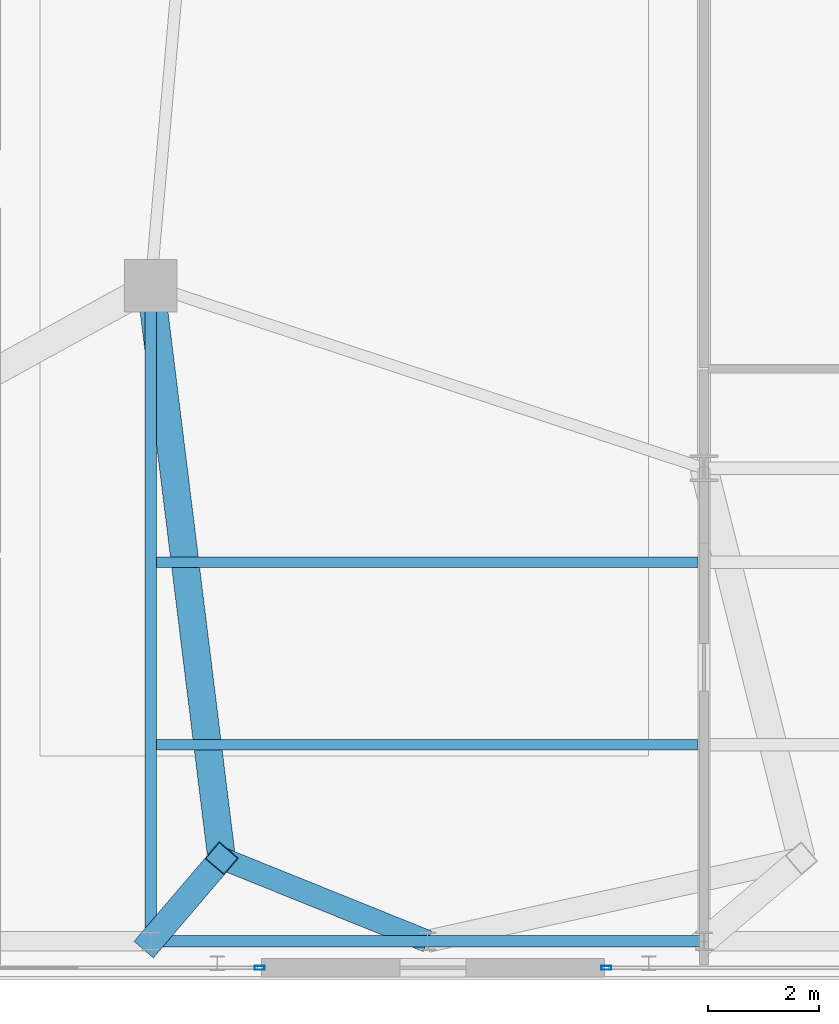
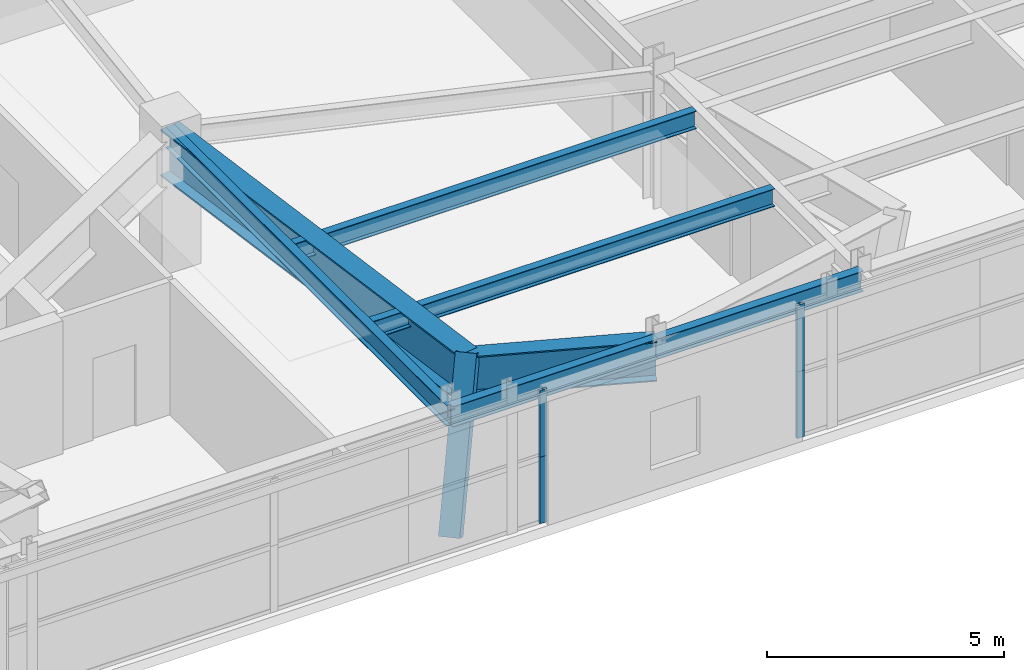
# One storey, part 9 of 27: 7 beams, 5 members, 4 elements without a shape of their own.
"""IFC4 building model written with IfcOpenShell, lengths in metres."""

from ifc_helpers import new_model, si_unit, direction, frame, origin, origin_2d, place, context, subcontext, project, spatial, hollow_rectangle, i_section, extrude, source, transform, mapped, material, layer, layer_set, material_profile, profile_set, type_object, element, aggregate, save


model = new_model("IFC4")

# Units and contexts
model_context = context("Model", 3, precision=1e-05, world=origin(), true_north=direction((0.0, 1.0)))
body_context = subcontext(model_context, "Body", "Model", "MODEL_VIEW")
ifc_project = project(units=[si_unit("LENGTHUNIT", "METRE"), si_unit("AREAUNIT", "SQUARE_METRE"), si_unit("VOLUMEUNIT", "CUBIC_METRE"), si_unit("PLANEANGLEUNIT", "RADIAN"), si_unit("MASSUNIT", "GRAM", prefix="KILO")], contexts=[model_context])

# Site, building, storey
site_placement = place(None, origin())
site = spatial("IfcSite", under=ifc_project, at=site_placement, CompositionType="ELEMENT")
building_placement = place(site_placement, origin())
building = spatial("IfcBuilding", under=site, at=building_placement, Name="Taldren Reach Tower", CompositionType="ELEMENT")
storey_placement = place(building_placement, frame((0.0, 0.0, 12.949951171875)))
storey = spatial("IfcBuildingStorey", under=building, at=storey_placement, Name="L03", CompositionType="ELEMENT", Elevation=12.949951171875)

# Beams
ifc_material_1 = material(Name="Steel Gr 350 (350PLUS)", Category="steel")
ifc_material_profile_1 = material_profile(ifc_material_1, i_section(OverallWidth=0.208984375, OverallDepth=0.528076171875, WebThickness=0.009521484375, FlangeThickness=0.01318359375, at=origin_2d()), Name="530UB82.0")
ifc_profile_set_1 = profile_set([ifc_material_profile_1], Name="Steel Gr 350 (350PLUS)")
beam_type_1 = type_object("IfcBeamType", Name="SP-UB530B", PredefinedType="SPANDREL", material=ifc_profile_set_1)
shared_shape_1 = source(origin(), body_context, "Body", "SweptSolid", [
    extrude(i_section(OverallWidth=0.208984375, OverallDepth=0.528076171875, WebThickness=0.009521484375, FlangeThickness=0.01318359375, at=origin_2d()), origin(), (0.0, 0.0, 1.0), 5.0),
])
for number, where, z_axis, x_axis, name in (
    (1, (18.0, 0.64990234375, 3.166015625), (1.0, 0.0, 0.0), (0.0, 1.0, 0.0), "Podium beam L03-PD02"),
    (2, (23.0, 0.64990234375, 3.166015625), (1.0, 0.0, 0.0), (0.0, 1.0, 0.0), "Podium beam L03-PD03"),
):
    element("IfcBeam", number, at=place(storey_placement, frame(where, z_axis=z_axis, x_axis=x_axis)), inside=storey, type_object=beam_type_1, Name=name, PredefinedType="SPANDREL", context=body_context, shape_type="MappedRepresentation", body=[
        mapped(shared_shape_1, transform((0.0, 0.0, 0.0), scale=1.0)),
    ])
ifc_material_profile_2 = material_profile(ifc_material_1, i_section(OverallWidth=0.208984375, OverallDepth=0.532958984375, WebThickness=0.01025390625, FlangeThickness=0.015625, at=origin_2d()), Name="530UB92.4")
ifc_profile_set_2 = profile_set([ifc_material_profile_2], Name="Steel Gr 350 (350PLUS)")
beam_type_2 = type_object("IfcBeamType", Name="BM-UB530A", PredefinedType="BEAM", material=ifc_profile_set_2)
shared_shape_2 = source(origin(), body_context, "Body", "SweptSolid", [
    extrude(i_section(OverallWidth=0.208984375, OverallDepth=0.532958984375, WebThickness=0.01025390625, FlangeThickness=0.015625, at=origin_2d()), origin(), (0.0, 0.0, 1.0), 11.85009765625),
])
beam_1_placement = place(storey_placement, frame((18.0, 0.64990234375, 3.16357421875), z_axis=(0.0, 1.0, 0.0), x_axis=(-1.0, 0.0, 0.0)))
element("IfcBeam", 3, at=beam_1_placement, inside=storey, type_object=beam_type_2, Name="Podium beam L03-PD22", PredefinedType="BEAM", context=body_context, shape_type="MappedRepresentation", body=[
    mapped(shared_shape_2, transform((0.0, 0.0, 0.0), scale=1.0)),
])
ifc_material_profile_3 = material_profile(ifc_material_1, i_section(OverallWidth=0.19091796875, OverallDepth=0.4599609375, WebThickness=0.010009765625, FlangeThickness=0.01611328125, at=origin_2d()), Name="460UB82.1")
ifc_profile_set_3 = profile_set([ifc_material_profile_3], Name="Steel Gr 350 (350PLUS)")
beam_type_3 = type_object("IfcBeamType", Name="BM-UB460A", PredefinedType="BEAM", material=ifc_profile_set_3)
shared_shape_3 = source(origin(), body_context, "Body", "SweptSolid", [
    extrude(i_section(OverallWidth=0.19091796875, OverallDepth=0.4599609375, WebThickness=0.010009765625, FlangeThickness=0.01611328125, at=origin_2d()), origin(), (0.0, 0.0, 1.0), 9.791015625),
])
for number, where, z_axis, x_axis, name in (
    (4, (18.1044921875, 4.199951171875, 3.199951171875), (1.0, 0.0, 0.0), (0.0, 1.0, 0.0), "Podium composite floor beam L03-1.1"),
    (5, (18.1044921875, 7.5, 3.199951171875), (1.0, 0.0, 0.0), (0.0, 1.0, 0.0), "Podium composite floor beam L03-2.1"),
):
    element("IfcBeam", number, at=place(storey_placement, frame(where, z_axis=z_axis, x_axis=x_axis)), inside=storey, type_object=beam_type_3, Name=name, PredefinedType="BEAM", context=body_context, shape_type="MappedRepresentation", body=[
        mapped(shared_shape_3, transform((0.0, 0.0, 0.0), scale=1.0)),
    ])

# Member
ifc_material_2 = material(Name="Steel Gr 450 (C450L0)", Category="steel")
ifc_material_profile_4 = material_profile(ifc_material_2, hollow_rectangle(XDim=0.4599609375, YDim=0.4599609375, WallThickness=0.01611328125, at=origin_2d()), Name="460x460x16.0SHS")
ifc_profile_set_4 = profile_set([ifc_material_profile_4], Name="Steel Gr 450 (C450L0)")
member_type_1 = type_object("IfcMemberType", Name="MB-EXO457", PredefinedType="BRACE", material=ifc_profile_set_4)
shared_shape_4 = source(origin(), body_context, "Body", "SweptSolid", [
    extrude(hollow_rectangle(XDim=0.4599609375, YDim=0.4599609375, WallThickness=0.01611328125, at=origin_2d()), origin(), (0.0, 0.0, 1.0), 3.93896484375),
])
member_1_placement = place(storey_placement, frame((18.0, 0.64990234375, 0.02001953125), z_axis=(0.324960344028, 0.380804187241, 0.865672539583), x_axis=(-0.760679309255, 0.649127867582, 0.0)))
element("IfcMember", 6, at=member_1_placement, inside=storey, type_object=member_type_1, Name="Portal and block transfer strut TS-B1-S2 L03", PredefinedType="BRACE", context=body_context, shape_type="MappedRepresentation", body=[
    mapped(shared_shape_4, transform((0.0, 0.0, 0.0), scale=1.0)),
])

# Beams
ifc_material_profile_5 = material_profile(ifc_material_1, i_section(OverallWidth=0.5, OverallDepth=1.199951171875, WebThickness=0.01611328125, FlangeThickness=0.0400390625, at=origin_2d()), Name="1200WB455")
ifc_profile_set_5 = profile_set([ifc_material_profile_5], Name="Steel Gr 350 (350PLUS)")
beam_type_4 = type_object("IfcBeamType", Name="BM-WB1200", PredefinedType="BEAM", material=ifc_profile_set_5)
shared_shape_5 = source(origin(), body_context, "Body", "SweptSolid", [
    extrude(i_section(OverallWidth=0.5, OverallDepth=1.199951171875, WebThickness=0.01611328125, FlangeThickness=0.0400390625, at=origin_2d()), origin(), (0.0, 0.0, 1.0), 10.428955078125),
])
beam_2_placement = place(storey_placement, frame((18.0, 12.5, 2.830078125), z_axis=(0.122738080664, -0.992439098159, 0.0), x_axis=(0.992439098159, 0.122738080664, 0.0)))
element("IfcBeam", 7, at=beam_2_placement, inside=storey, type_object=beam_type_4, Name="Block transfer girder TG-B1-S2A on L03", PredefinedType="BEAM", context=body_context, shape_type="MappedRepresentation", body=[
    mapped(shared_shape_5, transform((0.0, 0.0, 0.0), scale=1.0)),
])
ifc_material_profile_6 = material_profile(ifc_material_1, i_section(OverallWidth=0.39990234375, OverallDepth=1.02392578125, WebThickness=0.01611328125, FlangeThickness=0.031982421875, at=origin_2d()), Name="1000WB322")
ifc_profile_set_6 = profile_set([ifc_material_profile_6], Name="Steel Gr 350 (350PLUS)")
beam_type_5 = type_object("IfcBeamType", Name="BM-WB1000", PredefinedType="BEAM", material=ifc_profile_set_6)
shared_shape_6 = source(origin(), body_context, "Body", "SweptSolid", [
    extrude(i_section(OverallWidth=0.39990234375, OverallDepth=1.02392578125, WebThickness=0.01611328125, FlangeThickness=0.031982421875, at=origin_2d()), origin(), (0.0, 0.0, 1.0), 4.010986328125),
])
beam_3_placement = place(storey_placement, frame((23.0, 0.64990234375, 2.91796875), z_axis=(-0.927440450531, 0.37397086881, 0.0), x_axis=(-0.37397086881, -0.927440450531, 0.0)))
element("IfcBeam", 8, at=beam_3_placement, inside=storey, type_object=beam_type_5, Name="Block transfer tie girder TG-B1-S2B on L03", PredefinedType="BEAM", context=body_context, shape_type="MappedRepresentation", body=[
    mapped(shared_shape_6, transform((0.0, 0.0, 0.0), scale=1.0)),
])

# Curtain wall, member
ifc_material_3 = material(Name="Aluminium and Low-E Glass Unitised System", Category="aluminium")
ifc_layer = layer(ifc_material_3, 0.159912109375)
ifc_layer_set = layer_set([ifc_layer], Name="Aluminium and Low-E Glass Unitised System")
curtain_wall_type = type_object("IfcCurtainWallType", Name="CW-SYS-1", PredefinedType="NOTDEFINED", material=ifc_layer_set)
curtain_wall_1_placement = place(storey_placement, origin())
curtain_wall_1 = element("IfcCurtainWall", 9, at=curtain_wall_1_placement, inside=storey, type_object=curtain_wall_type, Name="Unitised curtain wall CW1-L03-S1", PredefinedType="NOTDEFINED")
ifc_material_4 = material(Name="Anodised Aluminium 6063-T6", Category="aluminium")
ifc_material_profile_7 = material_profile(ifc_material_4, hollow_rectangle(XDim=0.070068359375, YDim=0.179931640625, WallThickness=0.00390625, at=origin_2d()), Name="ALU-180x70x4RHS")
ifc_profile_set_7 = profile_set([ifc_material_profile_7], Name="Anodised Aluminium 6063-T6")
member_type_2 = type_object("IfcMemberType", Name="CW-MUL-180", PredefinedType="MULLION", material=ifc_profile_set_7)
shared_shape_7 = source(origin(), body_context, "Body", "SweptSolid", [
    extrude(hollow_rectangle(XDim=0.070068359375, YDim=0.179931640625, WallThickness=0.00390625, at=origin_2d()), origin(), (0.0, 0.0, 1.0), 1.715087890625),
])
member_2_placement = place(storey_placement, frame((19.965087890625, 0.169921875, 0.0), z_axis=(0.0, 0.0, 1.0), x_axis=(0.0, 1.0, 0.0)))
member_2 = element("IfcMember", 10, at=member_2_placement, type_object=member_type_2, Name="CW-1 mullion 3", PredefinedType="MULLION", context=body_context, shape_type="MappedRepresentation", body=[
    mapped(shared_shape_7, transform((0.0, 0.0, 0.0), scale=1.0)),
])
aggregate(curtain_wall_1, [member_2])

curtain_wall_2_placement = place(storey_placement, origin())
curtain_wall_2 = element("IfcCurtainWall", 11, at=curtain_wall_2_placement, inside=storey, type_object=curtain_wall_type, Name="Unitised curtain wall CW1-L03-S2", PredefinedType="NOTDEFINED")
member_3_placement = place(storey_placement, frame((26.235107421875, 0.169921875, 0.0), z_axis=(0.0, 0.0, 1.0), x_axis=(0.0, 1.0, 0.0)))
member_3 = element("IfcMember", 12, at=member_3_placement, type_object=member_type_2, Name="CW-1 mullion 1", PredefinedType="MULLION", context=body_context, shape_type="MappedRepresentation", body=[
    mapped(shared_shape_7, transform((0.0, 0.0, 0.0), scale=1.0)),
])
aggregate(curtain_wall_2, [member_3])

curtain_wall_3_placement = place(storey_placement, origin())
curtain_wall_3 = element("IfcCurtainWall", 13, at=curtain_wall_3_placement, inside=storey, type_object=curtain_wall_type, Name="Unitised curtain wall CW1-L03-S1-T2", PredefinedType="NOTDEFINED")
shared_shape_8 = source(origin(), body_context, "Body", "SweptSolid", [
    extrude(hollow_rectangle(XDim=0.070068359375, YDim=0.179931640625, WallThickness=0.00390625, at=origin_2d()), origin(), (0.0, 0.0, 1.0), 1.71484375),
])
member_4_placement = place(storey_placement, frame((19.965087890625, 0.169921875, 1.715087890625), z_axis=(0.0, 0.0, 1.0), x_axis=(0.0, 1.0, 0.0)))
member_4 = element("IfcMember", 14, at=member_4_placement, type_object=member_type_2, Name="CW-1 mullion 3", PredefinedType="MULLION", context=body_context, shape_type="MappedRepresentation", body=[
    mapped(shared_shape_8, transform((0.0, 0.0, 0.0), scale=1.0)),
])
aggregate(curtain_wall_3, [member_4])

curtain_wall_4_placement = place(storey_placement, origin())
curtain_wall_4 = element("IfcCurtainWall", 15, at=curtain_wall_4_placement, inside=storey, type_object=curtain_wall_type, Name="Unitised curtain wall CW1-L03-S2-T2", PredefinedType="NOTDEFINED")
member_5_placement = place(storey_placement, frame((26.235107421875, 0.169921875, 1.715087890625), z_axis=(0.0, 0.0, 1.0), x_axis=(0.0, 1.0, 0.0)))
member_5 = element("IfcMember", 16, at=member_5_placement, type_object=member_type_2, Name="CW-1 mullion 1", PredefinedType="MULLION", context=body_context, shape_type="MappedRepresentation", body=[
    mapped(shared_shape_8, transform((0.0, 0.0, 0.0), scale=1.0)),
])
aggregate(curtain_wall_4, [member_5])

save(model, "model.ifc")
